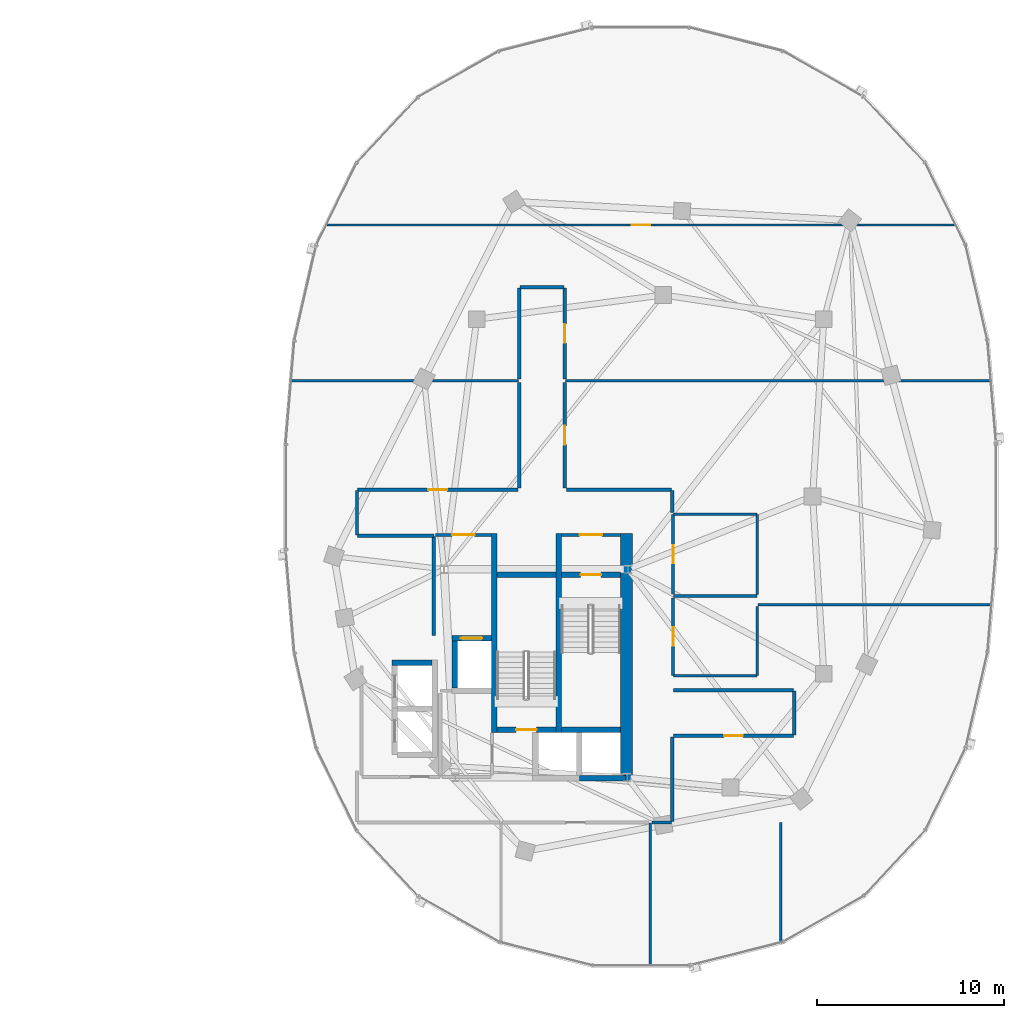
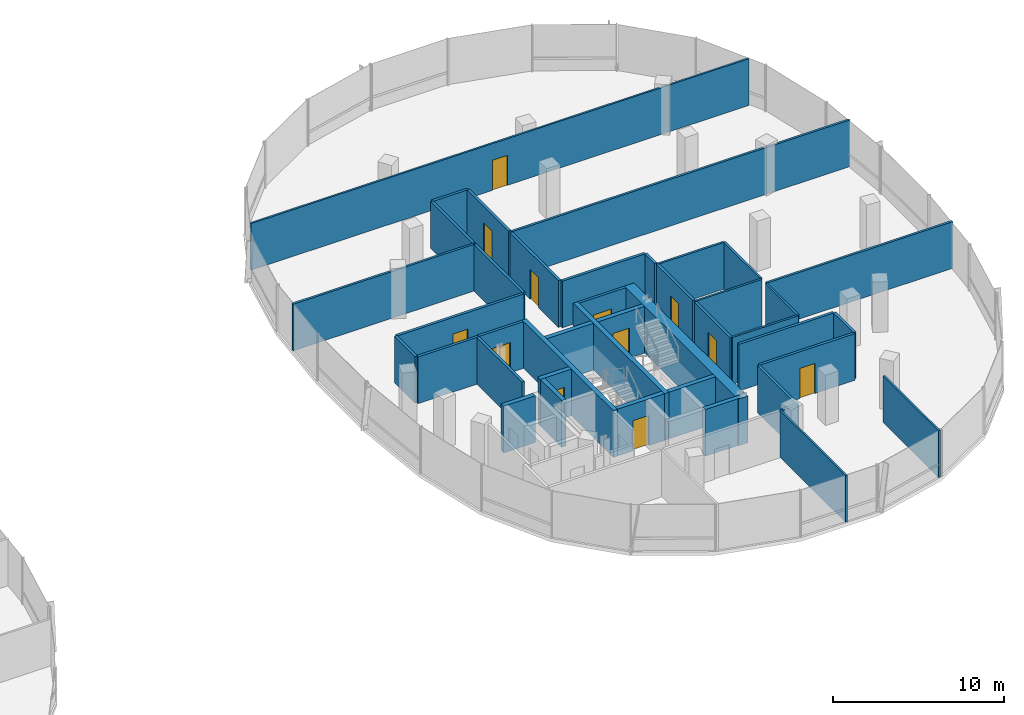
# One storey, part 17 of 25: 42 walls, 12 doors, 12 openings.
"""IFC4 building model written with IfcOpenShell, lengths in metres."""

from ifc_helpers import new_model, si_unit, direction, frame, frame_2d, origin, place, context, subcontext, project, spatial, rectangle, extrude, material, layer, layer_set, type_object, element, fill, save


model = new_model("IFC4")

# Units and contexts
model_context = context("Model", 3, precision=1e-05, world=origin(), true_north=direction((0.0, 1.0)))
body_context = subcontext(model_context, "Body", "Model", "MODEL_VIEW")
ifc_project = project(units=[si_unit("LENGTHUNIT", "METRE"), si_unit("AREAUNIT", "SQUARE_METRE"), si_unit("VOLUMEUNIT", "CUBIC_METRE"), si_unit("PLANEANGLEUNIT", "RADIAN"), si_unit("MASSUNIT", "GRAM", prefix="KILO"), si_unit("THERMODYNAMICTEMPERATUREUNIT", "KELVIN"), si_unit("POWERUNIT", "WATT")], contexts=[model_context])

# Site, building, storey
site_placement = place(None, origin())
site = spatial("IfcSite", under=ifc_project, at=site_placement, CompositionType="ELEMENT")
building_placement = place(site_placement, origin())
building = spatial("IfcBuilding", under=site, at=building_placement, Name="Cundina Bronze Exchange", CompositionType="ELEMENT")
storey_placement = place(building_placement, frame((0.0, 0.0, 224.199951171875)))
storey = spatial("IfcBuildingStorey", under=building, at=storey_placement, Name="L59", CompositionType="ELEMENT", Elevation=224.199951171875)

# Wall
ifc_material_1 = material(Name="Gypsum Fireboard Partition EI120")
ifc_layer_1 = layer(ifc_material_1, 0.179931640625, Name="Gypsum Fireboard Partition EI120")
ifc_layer_set_1 = layer_set([ifc_layer_1], Name="Gypsum Fireboard Partition EI120")
wall_type_1 = type_object("IfcWallType", Name="WL-COR-180", PredefinedType="PARTITIONING", material=ifc_layer_set_1)
wall_1_placement = place(storey_placement, frame((20.889892578125, -7.449951171875, 0.0), z_axis=(0.0, 0.0, 1.0), x_axis=(0.0, 1.0, 0.0)))
element("IfcWall", 1, at=wall_1_placement, inside=storey, type_object=wall_type_1, Name="L59 E Firefighting Lobby Side Wall", PredefinedType="PARTITIONING", context=body_context, shape_type="SweptSolid", body=[
    extrude(rectangle(XDim=5.300048828125, YDim=0.179931640625, at=frame_2d((2.64990234375, 0.0))), origin(), (0.0, 0.0, 1.0), 3.340087890625),
])

# Wall, opening, door
wall_2_placement = place(storey_placement, frame((20.97998046875, -2.06005859375, 0.0), z_axis=(0.0, 0.0, 1.0), x_axis=(1.0, 0.0, 0.0)))
wall_2 = element("IfcWall", 2, at=wall_2_placement, inside=storey, type_object=wall_type_1, Name="L59 E Firefighting Lobby Exit Wall", PredefinedType="PARTITIONING", context=body_context, shape_type="SweptSolid", body=[
    extrude(rectangle(XDim=3.0, YDim=0.179931640625, at=frame_2d((1.5, 0.0))), origin(), (0.0, 0.0, 1.0), 3.340087890625),
])
opening_1_placement = place(wall_2_placement, frame((0.89990234375, 0.0, 0.0)))
opening_1 = element("IfcOpeningElement", 3, at=opening_1_placement, cuts=wall_2, Name="Opening DF-01", PredefinedType="OPENING", context=body_context, shape_type="SweptSolid", body=[
    extrude(rectangle(XDim=1.199951171875, YDim=2.14990234375, at=frame_2d((0.60009765625, 1.074951171875))), frame((0.0, 0.099853515625, 0.0), z_axis=(0.0, -1.0, 0.0), x_axis=(1.0, 0.0, 0.0)), (0.0, 0.0, 1.0), 0.199951171875),
])
ifc_material_2 = material(Name="Steel ASTM A36 Painted", Category="steel")
door_type_1 = type_object("IfcDoorType", Name="DR-FFL-1200", OperationType="NOTDEFINED", PredefinedType="DOOR", material=ifc_material_2)
door_1_placement = place(opening_1_placement, origin())
door_1 = element("IfcDoor", 4, at=door_1_placement, inside=storey, type_object=door_type_1, Name="L59 E Firefighting Lobby Door", OperationType="SINGLE_SWING_LEFT", OverallHeight=2.14990234375, OverallWidth=1.199951171875, PredefinedType="DOOR", context=body_context, shape_type="SweptSolid", body=[
    extrude(rectangle(XDim=1.199951171875, YDim=2.14990234375, at=frame_2d((0.60009765625, 1.074951171875))), frame((0.0, 0.02490234375, 0.0), z_axis=(0.0, -1.0, 0.0), x_axis=(1.0, 0.0, 0.0)), (0.0, 0.0, 1.0), 0.050048828125),
])
fill(opening_1, door_1)

wall_3_placement = place(storey_placement, frame((27.739990234375, -2.06005859375, 0.0), z_axis=(0.0, 0.0, 1.0), x_axis=(1.0, 0.0, 0.0)))
wall_3 = element("IfcWall", 5, at=wall_3_placement, inside=storey, type_object=wall_type_1, Name="L59 E Stair Vestibule Exit Wall", PredefinedType="PARTITIONING", context=body_context, shape_type="SweptSolid", body=[
    extrude(rectangle(XDim=3.159912109375, YDim=0.179931640625, at=frame_2d((1.580078125, 0.0))), origin(), (0.0, 0.0, 1.0), 3.340087890625),
])
opening_2_placement = place(wall_3_placement, frame((0.97998046875, 0.0, 0.0)))
opening_2 = element("IfcOpeningElement", 6, at=opening_2_placement, cuts=wall_3, Name="Opening DF-01", PredefinedType="OPENING", context=body_context, shape_type="SweptSolid", body=[
    extrude(rectangle(XDim=1.199951171875, YDim=2.14990234375, at=frame_2d((0.60009765625, 1.074951171875))), frame((0.0, 0.099853515625, 0.0), z_axis=(0.0, -1.0, 0.0), x_axis=(1.0, 0.0, 0.0)), (0.0, 0.0, 1.0), 0.199951171875),
])
door_2_placement = place(opening_2_placement, origin())
door_2 = element("IfcDoor", 7, at=door_2_placement, inside=storey, type_object=door_type_1, Name="L59 E Stair Vestibule Door", OperationType="SINGLE_SWING_RIGHT", OverallHeight=2.14990234375, OverallWidth=1.199951171875, PredefinedType="DOOR", context=body_context, shape_type="SweptSolid", body=[
    extrude(rectangle(XDim=1.199951171875, YDim=2.14990234375, at=frame_2d((0.60009765625, 1.074951171875))), frame((0.0, 0.02490234375, 0.0), z_axis=(0.0, -1.0, 0.0), x_axis=(1.0, 0.0, 0.0)), (0.0, 0.0, 1.0), 0.050048828125),
])
fill(opening_2, door_2)

wall_4_placement = place(storey_placement, frame((33.719970703125, -5.22998046875, 0.0), z_axis=(0.0, 0.0, 1.0), x_axis=(0.0, 1.0, 0.0)))
wall_4 = element("IfcWall", 8, at=wall_4_placement, inside=storey, type_object=wall_type_1, Name="L59 Interior Partition 053", PredefinedType="PARTITIONING", context=body_context, shape_type="SweptSolid", body=[
    extrude(rectangle(XDim=4.260009765625, YDim=0.179931640625, at=frame_2d((2.1298828125, 0.0))), origin(), (0.0, 0.0, 1.0), 3.340087890625),
])
opening_3_placement = place(wall_4_placement, frame((1.655029296875, 0.0, 0.0)))
opening_3 = element("IfcOpeningElement", 9, at=opening_3_placement, cuts=wall_4, Name="Opening DW-01", PredefinedType="OPENING", context=body_context, shape_type="SweptSolid", body=[
    extrude(rectangle(XDim=0.949951171875, YDim=2.10009765625, at=frame_2d((0.47509765625, 1.050048828125))), frame((0.0, 0.099853515625, 0.0), z_axis=(0.0, -1.0, 0.0), x_axis=(1.0, 0.0, 0.0)), (0.0, 0.0, 1.0), 0.199951171875),
])
ifc_material_3 = material(Name="Solid Andean Oak Timber Grade A", Category="wood")
door_type_2 = type_object("IfcDoorType", Name="DR-WC-950", OperationType="NOTDEFINED", PredefinedType="DOOR", material=ifc_material_3)
door_3_placement = place(opening_3_placement, origin())
door_3 = element("IfcDoor", 10, at=door_3_placement, inside=storey, type_object=door_type_2, Name="L59 Interior Door 053", OperationType="SINGLE_SWING_RIGHT", OverallHeight=2.10009765625, OverallWidth=0.949951171875, PredefinedType="DOOR", context=body_context, shape_type="SweptSolid", body=[
    extrude(rectangle(XDim=0.949951171875, YDim=2.10009765625, at=frame_2d((0.47509765625, 1.050048828125))), frame((0.0, 0.02490234375, 0.0), z_axis=(0.0, -1.0, 0.0), x_axis=(1.0, 0.0, 0.0)), (0.0, 0.0, 1.0), 0.050048828125),
])
fill(opening_3, door_3)

wall_5_placement = place(storey_placement, frame((33.719970703125, -9.590087890625, 0.0), z_axis=(0.0, 0.0, 1.0), x_axis=(0.0, 1.0, 0.0)))
wall_5 = element("IfcWall", 11, at=wall_5_placement, inside=storey, type_object=wall_type_1, Name="L59 Interior Partition 054", PredefinedType="PARTITIONING", context=body_context, shape_type="SweptSolid", body=[
    extrude(rectangle(XDim=4.16015625, YDim=0.179931640625, at=frame_2d((2.080078125, 0.0))), origin(), (0.0, 0.0, 1.0), 3.340087890625),
])
opening_4_placement = place(wall_5_placement, frame((1.580078125, 0.0, 0.0)))
opening_4 = element("IfcOpeningElement", 12, at=opening_4_placement, cuts=wall_5, Name="Opening DO-01", PredefinedType="OPENING", context=body_context, shape_type="SweptSolid", body=[
    extrude(rectangle(XDim=1.0, YDim=2.14990234375, at=frame_2d((0.5, 1.074951171875))), frame((0.0, 0.099853515625, 0.0), z_axis=(0.0, -1.0, 0.0), x_axis=(1.0, 0.0, 0.0)), (0.0, 0.0, 1.0), 0.199951171875),
])
door_type_3 = type_object("IfcDoorType", Name="DR-OFF-1000", OperationType="NOTDEFINED", PredefinedType="DOOR", material=ifc_material_3)
door_4_placement = place(opening_4_placement, origin())
door_4 = element("IfcDoor", 13, at=door_4_placement, inside=storey, type_object=door_type_3, Name="L59 Interior Door 054", OperationType="SINGLE_SWING_RIGHT", OverallHeight=2.14990234375, OverallWidth=1.0, PredefinedType="DOOR", context=body_context, shape_type="SweptSolid", body=[
    extrude(rectangle(XDim=1.0, YDim=2.14990234375, at=frame_2d((0.5, 1.074951171875))), frame((0.0, 0.02490234375, 0.0), z_axis=(0.0, -1.0, 0.0), x_axis=(1.0, 0.0, 0.0)), (0.0, 0.0, 1.0), 0.050048828125),
])
fill(opening_4, door_4)

wall_6_placement = place(storey_placement, frame((33.75, -12.820068359375, 0.0), z_axis=(0.0, 0.0, 1.0), x_axis=(1.0, 0.0, 0.0)))
wall_6 = element("IfcWall", 14, at=wall_6_placement, inside=storey, type_object=wall_type_1, Name="L59 Interior Partition 062", PredefinedType="PARTITIONING", context=body_context, shape_type="SweptSolid", body=[
    extrude(rectangle(XDim=6.428466796875, YDim=0.179931640625, at=frame_2d((3.21435546875, 0.0))), origin(), (0.0, 0.0, 1.0), 3.340087890625),
])
opening_5_placement = place(wall_6_placement, frame((2.714111328125, 0.0, 0.0)))
opening_5 = element("IfcOpeningElement", 15, at=opening_5_placement, cuts=wall_6, Name="Opening DO-01", PredefinedType="OPENING", context=body_context, shape_type="SweptSolid", body=[
    extrude(rectangle(XDim=1.0, YDim=2.14990234375, at=frame_2d((0.5, 1.074951171875))), frame((0.0, 0.099853515625, 0.0), z_axis=(0.0, -1.0, 0.0), x_axis=(1.0, 0.0, 0.0)), (0.0, 0.0, 1.0), 0.199951171875),
])
door_5_placement = place(opening_5_placement, origin())
door_5 = element("IfcDoor", 16, at=door_5_placement, inside=storey, type_object=door_type_3, Name="L59 Interior Door 062", OperationType="SINGLE_SWING_RIGHT", OverallHeight=2.14990234375, OverallWidth=1.0, PredefinedType="DOOR", context=body_context, shape_type="SweptSolid", body=[
    extrude(rectangle(XDim=1.0, YDim=2.14990234375, at=frame_2d((0.5, 1.074951171875))), frame((0.0, 0.02490234375, 0.0), z_axis=(0.0, -1.0, 0.0), x_axis=(1.0, 0.0, 0.0)), (0.0, 0.0, 1.0), 0.050048828125),
])
fill(opening_5, door_5)

# Walls
wall_7_placement = place(storey_placement, frame((40.178466796875, -10.3798828125, 0.0), z_axis=(0.0, 0.0, 1.0), x_axis=(-1.0, 0.0, 0.0)))
element("IfcWall", 17, at=wall_7_placement, inside=storey, type_object=wall_type_1, Name="L59 Interior Partition 063", PredefinedType="PARTITIONING", context=body_context, shape_type="SweptSolid", body=[
    extrude(rectangle(XDim=6.428466796875, YDim=0.179931640625, at=frame_2d((3.21435546875, 0.0))), origin(), (0.0, 0.0, 1.0), 3.340087890625),
])
wall_8_placement = place(storey_placement, frame((33.669921875, -17.428466796875, 0.0), z_axis=(0.0, 0.0, 1.0), x_axis=(0.0, 1.0, 0.0)))
element("IfcWall", 18, at=wall_8_placement, inside=storey, type_object=wall_type_1, Name="L59 Interior Partition 064", PredefinedType="PARTITIONING", context=body_context, shape_type="SweptSolid", body=[
    extrude(rectangle(XDim=4.528564453125, YDim=0.179931640625, at=frame_2d((2.26416015625, 0.0))), origin(), (0.0, 0.0, 1.0), 3.340087890625),
])
wall_9_placement = place(storey_placement, frame((40.219970703125, -12.778564453125, 0.0), z_axis=(0.0, 0.0, 1.0), x_axis=(0.0, 1.0, 0.0)))
element("IfcWall", 19, at=wall_9_placement, inside=storey, type_object=wall_type_1, Name="L59 Interior Partition 065", PredefinedType="PARTITIONING", context=body_context, shape_type="SweptSolid", body=[
    extrude(rectangle(XDim=2.357177734375, YDim=0.179931640625, at=frame_2d((1.1787109375, 0.0))), origin(), (0.0, 0.0, 1.0), 3.340087890625),
])
wall_10_placement = place(storey_placement, frame((32.590087890625, -17.469970703125, 0.0), z_axis=(0.0, 0.0, 1.0), x_axis=(1.0, 0.0, 0.0)))
element("IfcWall", 20, at=wall_10_placement, inside=storey, type_object=wall_type_1, Name="L59 Interior Partition 066", PredefinedType="PARTITIONING", context=body_context, shape_type="SweptSolid", body=[
    extrude(rectangle(XDim=1.038330078125, YDim=0.179931640625, at=frame_2d((0.51904296875, 0.0))), origin(), (0.0, 0.0, 1.0), 3.340087890625),
])

# Wall, opening, door
wall_11_placement = place(storey_placement, frame((25.39990234375, 0.3701171875, 0.0), z_axis=(0.0, 0.0, 1.0), x_axis=(-1.0, 0.0, 0.0)))
wall_11 = element("IfcWall", 21, at=wall_11_placement, inside=storey, type_object=wall_type_1, Name="L59 Interior Partition 067", PredefinedType="PARTITIONING", context=body_context, shape_type="SweptSolid", body=[
    extrude(rectangle(XDim=8.578369140625, YDim=0.179931640625, at=frame_2d((4.2890625, 0.0))), origin(), (0.0, 0.0, 1.0), 3.340087890625),
])
opening_6_placement = place(wall_11_placement, frame((3.789306640625, 0.0, 0.0)))
opening_6 = element("IfcOpeningElement", 22, at=opening_6_placement, cuts=wall_11, Name="Opening DO-01", PredefinedType="OPENING", context=body_context, shape_type="SweptSolid", body=[
    extrude(rectangle(XDim=1.0, YDim=2.14990234375, at=frame_2d((0.5, 1.074951171875))), frame((0.0, 0.099853515625, 0.0), z_axis=(0.0, -1.0, 0.0), x_axis=(1.0, 0.0, 0.0)), (0.0, 0.0, 1.0), 0.199951171875),
])
door_6_placement = place(opening_6_placement, origin())
door_6 = element("IfcDoor", 23, at=door_6_placement, inside=storey, type_object=door_type_3, Name="L59 Interior Door 067", OperationType="SINGLE_SWING_RIGHT", OverallHeight=2.14990234375, OverallWidth=1.0, PredefinedType="DOOR", context=body_context, shape_type="SweptSolid", body=[
    extrude(rectangle(XDim=1.0, YDim=2.14990234375, at=frame_2d((0.5, 1.074951171875))), frame((0.0, 0.02490234375, 0.0), z_axis=(0.0, -1.0, 0.0), x_axis=(1.0, 0.0, 0.0)), (0.0, 0.0, 1.0), 0.050048828125),
])
fill(opening_6, door_6)

# Walls
wall_12_placement = place(storey_placement, frame((25.47998046875, 6.110107421875, 0.0), z_axis=(0.0, 0.0, 1.0), x_axis=(0.0, -1.0, 0.0)))
element("IfcWall", 24, at=wall_12_placement, inside=storey, type_object=wall_type_1, Name="L59 Interior Partition 069", PredefinedType="PARTITIONING", context=body_context, shape_type="SweptSolid", body=[
    extrude(rectangle(XDim=5.66015625, YDim=0.179931640625, at=frame_2d((2.830078125, 0.0))), origin(), (0.0, 0.0, 1.0), 3.340087890625),
])
wall_13_placement = place(storey_placement, frame((16.821533203125, -2.10009765625, 0.0), z_axis=(0.0, 0.0, 1.0), x_axis=(1.0, 0.0, 0.0)))
element("IfcWall", 25, at=wall_13_placement, inside=storey, type_object=wall_type_1, Name="L59 Interior Partition 070", PredefinedType="PARTITIONING", context=body_context, shape_type="SweptSolid", body=[
    extrude(rectangle(XDim=4.098388671875, YDim=0.179931640625, at=frame_2d((2.04931640625, 0.0))), origin(), (0.0, 0.0, 1.0), 3.340087890625),
])
wall_14_placement = place(storey_placement, frame((16.780029296875, 0.32861328125, 0.0), z_axis=(0.0, 0.0, 1.0), x_axis=(0.0, -1.0, 0.0)))
element("IfcWall", 26, at=wall_14_placement, inside=storey, type_object=wall_type_1, Name="L59 Interior Partition 072", PredefinedType="PARTITIONING", context=body_context, shape_type="SweptSolid", body=[
    extrude(rectangle(XDim=2.38720703125, YDim=0.179931640625, at=frame_2d((1.193603515625, 0.0))), origin(), (0.0, 0.0, 1.0), 3.340087890625),
])

# Wall, opening, door
wall_15_placement = place(storey_placement, frame((27.919921875, 0.449951171875, 0.0), z_axis=(0.0, 0.0, 1.0), x_axis=(0.0, 1.0, 0.0)))
wall_15 = element("IfcWall", 27, at=wall_15_placement, inside=storey, type_object=wall_type_1, Name="L59 Interior Partition 073", PredefinedType="PARTITIONING", context=body_context, shape_type="SweptSolid", body=[
    extrude(rectangle(XDim=5.66015625, YDim=0.179931640625, at=frame_2d((2.830078125, 0.0))), origin(), (0.0, 0.0, 1.0), 3.340087890625),
])
opening_7_placement = place(wall_15_placement, frame((2.330078125, 0.0, 0.0)))
opening_7 = element("IfcOpeningElement", 28, at=opening_7_placement, cuts=wall_15, Name="Opening DO-01", PredefinedType="OPENING", context=body_context, shape_type="SweptSolid", body=[
    extrude(rectangle(XDim=1.0, YDim=2.14990234375, at=frame_2d((0.5, 1.074951171875))), frame((0.0, 0.099853515625, 0.0), z_axis=(0.0, -1.0, 0.0), x_axis=(1.0, 0.0, 0.0)), (0.0, 0.0, 1.0), 0.199951171875),
])
door_7_placement = place(opening_7_placement, origin())
door_7 = element("IfcDoor", 29, at=door_7_placement, inside=storey, type_object=door_type_3, Name="L59 Interior Door 073", OperationType="SINGLE_SWING_RIGHT", OverallHeight=2.14990234375, OverallWidth=1.0, PredefinedType="DOOR", context=body_context, shape_type="SweptSolid", body=[
    extrude(rectangle(XDim=1.0, YDim=2.14990234375, at=frame_2d((0.5, 1.074951171875))), frame((0.0, 0.02490234375, 0.0), z_axis=(0.0, -1.0, 0.0), x_axis=(1.0, 0.0, 0.0)), (0.0, 0.0, 1.0), 0.050048828125),
])
fill(opening_7, door_7)

# Walls
wall_16_placement = place(storey_placement, frame((33.62841796875, 0.3701171875, 0.0), z_axis=(0.0, 0.0, 1.0), x_axis=(-1.0, 0.0, 0.0)))
element("IfcWall", 30, at=wall_16_placement, inside=storey, type_object=wall_type_1, Name="L59 Interior Partition 074", PredefinedType="PARTITIONING", context=body_context, shape_type="SweptSolid", body=[
    extrude(rectangle(XDim=5.62841796875, YDim=0.179931640625, at=frame_2d((2.814208984375, 0.0))), origin(), (0.0, 0.0, 1.0), 3.340087890625),
])
wall_17_placement = place(storey_placement, frame((33.669921875, -0.858642578125, 0.0), z_axis=(0.0, 0.0, 1.0), x_axis=(0.0, 1.0, 0.0)))
element("IfcWall", 31, at=wall_17_placement, inside=storey, type_object=wall_type_1, Name="L59 Interior Partition 075", PredefinedType="PARTITIONING", context=body_context, shape_type="SweptSolid", body=[
    extrude(rectangle(XDim=1.187255859375, YDim=0.179931640625, at=frame_2d((0.59375, 0.0))), origin(), (0.0, 0.0, 1.0), 3.340087890625),
])

# Wall, opening, door
wall_18_placement = place(storey_placement, frame((27.919921875, 6.2900390625, 0.0), z_axis=(0.0, 0.0, 1.0), x_axis=(0.0, 1.0, 0.0)))
wall_18 = element("IfcWall", 32, at=wall_18_placement, inside=storey, type_object=wall_type_1, Name="L59 Interior Partition 076", PredefinedType="PARTITIONING", context=body_context, shape_type="SweptSolid", body=[
    extrude(rectangle(XDim=4.888427734375, YDim=0.179931640625, at=frame_2d((2.4443359375, 0.0))), origin(), (0.0, 0.0, 1.0), 3.340087890625),
])
opening_8_placement = place(wall_18_placement, frame((1.944091796875, 0.0, 0.0)))
opening_8 = element("IfcOpeningElement", 33, at=opening_8_placement, cuts=wall_18, Name="Opening DO-01", PredefinedType="OPENING", context=body_context, shape_type="SweptSolid", body=[
    extrude(rectangle(XDim=1.0, YDim=2.14990234375, at=frame_2d((0.5, 1.074951171875))), frame((0.0, 0.099853515625, 0.0), z_axis=(0.0, -1.0, 0.0), x_axis=(1.0, 0.0, 0.0)), (0.0, 0.0, 1.0), 0.199951171875),
])
door_8_placement = place(opening_8_placement, origin())
door_8 = element("IfcDoor", 34, at=door_8_placement, inside=storey, type_object=door_type_3, Name="L59 Interior Door 076", OperationType="SINGLE_SWING_RIGHT", OverallHeight=2.14990234375, OverallWidth=1.0, PredefinedType="DOOR", context=body_context, shape_type="SweptSolid", body=[
    extrude(rectangle(XDim=1.0, YDim=2.14990234375, at=frame_2d((0.5, 1.074951171875))), frame((0.0, 0.02490234375, 0.0), z_axis=(0.0, -1.0, 0.0), x_axis=(1.0, 0.0, 0.0)), (0.0, 0.0, 1.0), 0.050048828125),
])
fill(opening_8, door_8)

# Walls
wall_19_placement = place(storey_placement, frame((25.47998046875, 11.178466796875, 0.0), z_axis=(0.0, 0.0, 1.0), x_axis=(0.0, -1.0, 0.0)))
element("IfcWall", 35, at=wall_19_placement, inside=storey, type_object=wall_type_1, Name="L59 Interior Partition 077", PredefinedType="PARTITIONING", context=body_context, shape_type="SweptSolid", body=[
    extrude(rectangle(XDim=4.888427734375, YDim=0.179931640625, at=frame_2d((2.4443359375, 0.0))), origin(), (0.0, 0.0, 1.0), 3.340087890625),
])
wall_20_placement = place(storey_placement, frame((27.87841796875, 11.219970703125, 0.0), z_axis=(0.0, 0.0, 1.0), x_axis=(-1.0, 0.0, 0.0)))
element("IfcWall", 36, at=wall_20_placement, inside=storey, type_object=wall_type_1, Name="L59 Interior Partition 078", PredefinedType="PARTITIONING", context=body_context, shape_type="SweptSolid", body=[
    extrude(rectangle(XDim=2.35693359375, YDim=0.179931640625, at=frame_2d((1.178466796875, 0.0))), origin(), (0.0, 0.0, 1.0), 3.340087890625),
])
ifc_material_4 = material(Name="Concrete C50/60", Category="concrete")
ifc_layer_2 = layer(ifc_material_4, 0.64990234375, Name="Concrete C50/60", Category="concrete")
ifc_layer_set_2 = layer_set([ifc_layer_2], Name="Concrete C50/60")
wall_type_2 = type_object("IfcWallType", Name="WL-CORE-650", PredefinedType="SHEAR", material=ifc_layer_set_2)
wall_21_placement = place(storey_placement, frame((31.22509765625, -15.300048828125, 0.0), z_axis=(0.0, 0.0, 1.0), x_axis=(0.0, 1.0, 0.0)))
element("IfcWall", 37, at=wall_21_placement, inside=storey, type_object=wall_type_2, Name="L59 E Primary Core Shear Spine Wall", PredefinedType="SHEAR", context=body_context, shape_type="SweptSolid", body=[
    extrude(rectangle(XDim=13.330078125, YDim=0.64990234375, at=frame_2d((6.6650390625, 0.0))), origin(), (0.0, 0.0, 1.0), 3.340087890625),
])
ifc_material_5 = material(Name="Gypsum Acoustic Partition EI60")
ifc_layer_3 = layer(ifc_material_5, 0.125, Name="Gypsum Acoustic Partition EI60")
ifc_layer_set_3 = layer_set([ifc_layer_3], Name="Gypsum Acoustic Partition EI60")
wall_type_3 = type_object("IfcWallType", Name="WL-OFF-125", PredefinedType="PARTITIONING", material=ifc_layer_set_3)
wall_22_placement = place(storey_placement, frame((32.5, -25.18994140625, 0.0), z_axis=(0.0, 0.0, 1.0), x_axis=(0.0, 1.0, 0.0)))
element("IfcWall", 38, at=wall_22_placement, inside=storey, type_object=wall_type_3, Name="L59 Interior Partition 059", PredefinedType="PARTITIONING", context=body_context, shape_type="SweptSolid", body=[
    extrude(rectangle(XDim=7.68994140625, YDim=0.125, at=frame_2d((3.844970703125, 0.0))), origin(), (0.0, 0.0, 1.0), 3.340087890625),
])
wall_23_placement = place(storey_placement, frame((39.5, -23.962646484375, 0.0), z_axis=(0.0, 0.0, 1.0), x_axis=(0.0, 1.0, 0.0)))
element("IfcWall", 39, at=wall_23_placement, inside=storey, type_object=wall_type_3, Name="L59 Interior Partition 060", PredefinedType="PARTITIONING", context=body_context, shape_type="SweptSolid", body=[
    extrude(rectangle(XDim=6.49267578125, YDim=0.125, at=frame_2d((3.246337890625, 0.0))), origin(), (0.0, 0.0, 1.0), 3.340087890625),
])

# Wall, opening, door
wall_24_placement = place(storey_placement, frame((48.832763671875, 14.550048828125, 0.0), z_axis=(0.0, 0.0, 1.0), x_axis=(-1.0, 0.0, 0.0)))
wall_24 = element("IfcWall", 40, at=wall_24_placement, inside=storey, type_object=wall_type_3, Name="L59 Interior Partition 079", PredefinedType="PARTITIONING", context=body_context, shape_type="SweptSolid", body=[
    extrude(rectangle(XDim=33.66552734375, YDim=0.125, at=frame_2d((16.832763671875, 0.0))), origin(), (0.0, 0.0, 1.0), 3.340087890625),
])
opening_9_placement = place(wall_24_placement, frame((16.332763671875, 0.0, 0.0)))
opening_9 = element("IfcOpeningElement", 41, at=opening_9_placement, cuts=wall_24, Name="Opening DO-01", PredefinedType="OPENING", context=body_context, shape_type="SweptSolid", body=[
    extrude(rectangle(XDim=1.0, YDim=2.14990234375, at=frame_2d((0.5, 1.074951171875))), frame((0.0, 0.072509765625, 0.0), z_axis=(0.0, -1.0, 0.0), x_axis=(1.0, 0.0, 0.0)), (0.0, 0.0, 1.0), 0.14501953125),
])
door_9_placement = place(opening_9_placement, origin())
door_9 = element("IfcDoor", 42, at=door_9_placement, inside=storey, type_object=door_type_3, Name="L59 Interior Door 079", OperationType="SINGLE_SWING_RIGHT", OverallHeight=2.14990234375, OverallWidth=1.0, PredefinedType="DOOR", context=body_context, shape_type="SweptSolid", body=[
    extrude(rectangle(XDim=1.0, YDim=2.14990234375, at=frame_2d((0.5, 1.074951171875))), frame((0.0, 0.02490234375, 0.0), z_axis=(0.0, -1.0, 0.0), x_axis=(1.0, 0.0, 0.0)), (0.0, 0.0, 1.0), 0.050048828125),
])
fill(opening_9, door_9)

# Walls
ifc_layer_4 = layer(ifc_material_4, 0.300048828125, Name="Concrete C50/60", Category="concrete")
ifc_layer_set_4 = layer_set([ifc_layer_4], Name="Concrete C50/60")
wall_type_4 = type_object("IfcWallType", Name="WL-SHFT-300", PredefinedType="SHEAR", material=ifc_layer_set_4)
for number, where, z_axis, x_axis, name in (
    (43, (27.590087890625, -12.64990234375, 0.0), (0.0, 0.0, 1.0), (0.0, 1.0, 0.0), "L59 E Stair Shaft Dividing Shear Wall"),
    (44, (24.1298828125, -12.64990234375, 0.0), (0.0, 0.0, 1.0), (0.0, 1.0, 0.0), "L59 E Stair 2 East Shear Wall"),
):
    element("IfcWall", number, at=place(storey_placement, frame(where, z_axis=z_axis, x_axis=x_axis)), inside=storey, type_object=wall_type_4, Name=name, PredefinedType="SHEAR", context=body_context, shape_type="SweptSolid", body=[
        extrude(rectangle(XDim=10.679931640625, YDim=0.300048828125, at=frame_2d((5.33984375, 0.0))), origin(), (0.0, 0.0, 1.0), 3.340087890625),
    ])

# Wall, opening, door
wall_25_placement = place(storey_placement, frame((27.739990234375, -4.199951171875, 0.0), z_axis=(0.0, 0.0, 1.0), x_axis=(1.0, 0.0, 0.0)))
wall_25 = element("IfcWall", 45, at=wall_25_placement, inside=storey, type_object=wall_type_4, Name="L59 Stair E1 Landing Wall", PredefinedType="SHEAR", context=body_context, shape_type="SweptSolid", body=[
    extrude(rectangle(XDim=3.159912109375, YDim=0.300048828125, at=frame_2d((1.580078125, 0.0))), origin(), (0.0, 0.0, 1.0), 3.340087890625),
])
opening_10_placement = place(wall_25_placement, frame((1.030029296875, 0.0, 0.0)))
opening_10 = element("IfcOpeningElement", 46, at=opening_10_placement, cuts=wall_25, Name="Opening DS-01", PredefinedType="OPENING", context=body_context, shape_type="SweptSolid", body=[
    extrude(rectangle(XDim=1.10009765625, YDim=2.14990234375, at=frame_2d((0.550048828125, 1.074951171875))), frame((0.0, 0.159912109375, 0.0), z_axis=(0.0, -1.0, 0.0), x_axis=(1.0, 0.0, 0.0)), (0.0, 0.0, 1.0), 0.320068359375),
])
door_type_4 = type_object("IfcDoorType", Name="DR-STR-1100", OperationType="NOTDEFINED", PredefinedType="DOOR", material=ifc_material_2)
door_10_placement = place(opening_10_placement, origin())
door_10 = element("IfcDoor", 47, at=door_10_placement, inside=storey, type_object=door_type_4, Name="L59 Smokeproof Stair E1 Door", OperationType="SINGLE_SWING_LEFT", OverallHeight=2.14990234375, OverallWidth=1.10009765625, PredefinedType="DOOR", context=body_context, shape_type="SweptSolid", body=[
    extrude(rectangle(XDim=1.10009765625, YDim=2.14990234375, at=frame_2d((0.550048828125, 1.074951171875))), frame((0.0, 0.02490234375, 0.0), z_axis=(0.0, -1.0, 0.0), x_axis=(1.0, 0.0, 0.0)), (0.0, 0.0, 1.0), 0.050048828125),
])
fill(opening_10, door_10)

# Wall
wall_26_placement = place(storey_placement, frame((27.739990234375, -12.5, 0.0), z_axis=(0.0, 0.0, 1.0), x_axis=(1.0, 0.0, 0.0)))
element("IfcWall", 48, at=wall_26_placement, inside=storey, type_object=wall_type_4, Name="L59 Stair E1 Far Shaft Wall", PredefinedType="SHEAR", context=body_context, shape_type="SweptSolid", body=[
    extrude(rectangle(XDim=3.159912109375, YDim=0.300048828125, at=frame_2d((1.580078125, 0.0))), origin(), (0.0, 0.0, 1.0), 3.340087890625),
])

# Wall, opening, door
wall_27_placement = place(storey_placement, frame((24.280029296875, -12.5, 0.0), z_axis=(0.0, 0.0, 1.0), x_axis=(1.0, 0.0, 0.0)))
wall_27 = element("IfcWall", 49, at=wall_27_placement, inside=storey, type_object=wall_type_4, Name="L59 Stair E2 Landing Wall", PredefinedType="SHEAR", context=body_context, shape_type="SweptSolid", body=[
    extrude(rectangle(XDim=3.159912109375, YDim=0.300048828125, at=frame_2d((1.580078125, 0.0))), origin(), (0.0, 0.0, 1.0), 3.340087890625),
])
opening_11_placement = place(wall_27_placement, frame((1.030029296875, 0.0, 0.0)))
opening_11 = element("IfcOpeningElement", 50, at=opening_11_placement, cuts=wall_27, Name="Opening DS-01", PredefinedType="OPENING", context=body_context, shape_type="SweptSolid", body=[
    extrude(rectangle(XDim=1.10009765625, YDim=2.14990234375, at=frame_2d((0.550048828125, 1.074951171875))), frame((0.0, 0.159912109375, 0.0), z_axis=(0.0, -1.0, 0.0), x_axis=(1.0, 0.0, 0.0)), (0.0, 0.0, 1.0), 0.320068359375),
])
door_11_placement = place(opening_11_placement, origin())
door_11 = element("IfcDoor", 51, at=door_11_placement, inside=storey, type_object=door_type_4, Name="L59 Smokeproof Stair E2 Door", OperationType="SINGLE_SWING_RIGHT", OverallHeight=2.14990234375, OverallWidth=1.10009765625, PredefinedType="DOOR", context=body_context, shape_type="SweptSolid", body=[
    extrude(rectangle(XDim=1.10009765625, YDim=2.14990234375, at=frame_2d((0.550048828125, 1.074951171875))), frame((0.0, 0.02490234375, 0.0), z_axis=(0.0, -1.0, 0.0), x_axis=(1.0, 0.0, 0.0)), (0.0, 0.0, 1.0), 0.050048828125),
])
fill(opening_11, door_11)

# Wall
wall_28_placement = place(storey_placement, frame((24.280029296875, -4.199951171875, 0.0), z_axis=(0.0, 0.0, 1.0), x_axis=(1.0, 0.0, 0.0)))
element("IfcWall", 52, at=wall_28_placement, inside=storey, type_object=wall_type_4, Name="L59 Stair E2 Far Shaft Wall", PredefinedType="SHEAR", context=body_context, shape_type="SweptSolid", body=[
    extrude(rectangle(XDim=3.159912109375, YDim=0.300048828125, at=frame_2d((1.580078125, 0.0))), origin(), (0.0, 0.0, 1.0), 3.340087890625),
])

# Wall, opening, door
wall_29_placement = place(storey_placement, frame((21.8798828125, -7.60009765625, 0.0), z_axis=(0.0, 0.0, 1.0), x_axis=(1.0, 0.0, 0.0)))
wall_29 = element("IfcWall", 53, at=wall_29_placement, inside=storey, type_object=wall_type_4, Name="L59 FFL-E Hoistway Front Wall", PredefinedType="SHEAR", context=body_context, shape_type="SweptSolid", body=[
    extrude(rectangle(XDim=2.10009765625, YDim=0.300048828125, at=frame_2d((1.050048828125, 0.0))), origin(), (0.0, 0.0, 1.0), 3.340087890625),
])
opening_12_placement = place(wall_29_placement, frame((0.47509765625, 0.0, 0.0)))
opening_12 = element("IfcOpeningElement", 54, at=opening_12_placement, cuts=wall_29, Name="Opening LD-01", PredefinedType="OPENING", context=body_context, shape_type="SweptSolid", body=[
    extrude(rectangle(XDim=1.14990234375, YDim=2.199951171875, at=frame_2d((0.574951171875, 1.10009765625))), frame((0.0, 0.159912109375, 0.0), z_axis=(0.0, -1.0, 0.0), x_axis=(1.0, 0.0, 0.0)), (0.0, 0.0, 1.0), 0.320068359375),
])
door_type_5 = type_object("IfcDoorType", Name="DR-LND-1150", OperationType="NOTDEFINED", PredefinedType="TRAPDOOR", material=ifc_material_2)
door_12_placement = place(opening_12_placement, origin())
door_12 = element("IfcDoor", 55, at=door_12_placement, inside=storey, type_object=door_type_5, Name="L59 FFL-E Sliding Landing Door", OperationType="SLIDING_TO_LEFT", OverallHeight=2.199951171875, OverallWidth=1.14990234375, PredefinedType="TRAPDOOR", context=body_context, shape_type="SweptSolid", body=[
    extrude(rectangle(XDim=1.14990234375, YDim=2.199951171875, at=frame_2d((0.574951171875, 1.10009765625))), frame((0.0, 0.02490234375, 0.0), z_axis=(0.0, -1.0, 0.0), x_axis=(1.0, 0.0, 0.0)), (0.0, 0.0, 1.0), 0.050048828125),
])
fill(opening_12, door_12)

# Walls
for number, where, z_axis, x_axis, name in (
    (56, (22.030029296875, -10.25, 0.0), (0.0, 0.0, 1.0), (0.0, 1.0, 0.0), "L59 FFL-E Hoistway Side Wall"),
    (57, (28.699951171875, -15.10009765625, 0.0), (0.0, 0.0, 1.0), (1.0, 0.0, 0.0), "L59 PH-E1 Hoistway Front Wall"),
):
    element("IfcWall", number, at=place(storey_placement, frame(where, z_axis=z_axis, x_axis=x_axis)), inside=storey, type_object=wall_type_4, Name=name, PredefinedType="SHEAR", context=body_context, shape_type="SweptSolid", body=[
        extrude(rectangle(XDim=2.5, YDim=0.300048828125, at=frame_2d((1.25, 0.0))), origin(), (0.0, 0.0, 1.0), 3.340087890625),
    ])
wall_30_placement = place(storey_placement, frame((18.64990234375, -8.89990234375, 0.0), z_axis=(0.0, 0.0, 1.0), x_axis=(1.0, 0.0, 0.0)))
element("IfcWall", 58, at=wall_30_placement, inside=storey, type_object=wall_type_4, Name="L59 E Passenger Bank North Cap Wall", PredefinedType="SHEAR", context=body_context, shape_type="SweptSolid", body=[
    extrude(rectangle(XDim=2.150146484375, YDim=0.300048828125, at=frame_2d((1.0751953125, 0.0))), origin(), (0.0, 0.0, 1.0), 3.340087890625),
])
ifc_layer_5 = layer(ifc_material_5, 0.14990234375, Name="Gypsum Acoustic Partition EI60")
ifc_layer_set_5 = layer_set([ifc_layer_5], Name="Gypsum Acoustic Partition EI60")
wall_type_5 = type_object("IfcWallType", Name="WL-TEN-150", PredefinedType="PARTITIONING", material=ifc_layer_set_5)
wall_31_placement = place(storey_placement, frame((13.18310546875, 6.199951171875, 0.0), z_axis=(0.0, 0.0, 1.0), x_axis=(1.0, 0.0, 0.0)))
element("IfcWall", 59, at=wall_31_placement, inside=storey, type_object=wall_type_5, Name="L59 Interior Partition 055", PredefinedType="PARTITIONING", context=body_context, shape_type="SweptSolid", body=[
    extrude(rectangle(XDim=12.266845703125, YDim=0.14990234375, at=frame_2d((6.13330078125, 0.0))), origin(), (0.0, 0.0, 1.0), 3.340087890625),
])
wall_32_placement = place(storey_placement, frame((27.949951171875, 6.199951171875, 0.0), z_axis=(0.0, 0.0, 1.0), x_axis=(1.0, 0.0, 0.0)))
element("IfcWall", 60, at=wall_32_placement, inside=storey, type_object=wall_type_5, Name="L59 Interior Partition 056", PredefinedType="PARTITIONING", context=body_context, shape_type="SweptSolid", body=[
    extrude(rectangle(XDim=22.866943359375, YDim=0.14990234375, at=frame_2d((11.43359375, 0.0))), origin(), (0.0, 0.0, 1.0), 3.340087890625),
])
wall_33_placement = place(storey_placement, frame((38.27001953125, -5.800048828125, 0.0), z_axis=(0.0, 0.0, 1.0), x_axis=(1.0, 0.0, 0.0)))
element("IfcWall", 61, at=wall_33_placement, inside=storey, type_object=wall_type_5, Name="L59 Interior Partition 057", PredefinedType="PARTITIONING", context=body_context, shape_type="SweptSolid", body=[
    extrude(rectangle(XDim=12.58056640625, YDim=0.14990234375, at=frame_2d((6.290283203125, 0.0))), origin(), (0.0, 0.0, 1.0), 3.340087890625),
])
ifc_material_6 = material(Name="Moisture-Resistant Masonry Block Grade M15", Category="masonry")
ifc_layer_6 = layer(ifc_material_6, 0.139892578125, Name="Moisture-Resistant Masonry Block Grade M15", Category="masonry")
ifc_layer_set_6 = layer_set([ifc_layer_6], Name="Moisture-Resistant Masonry Block Grade M15")
wall_type_6 = type_object("IfcWallType", Name="WL-WET-140", PredefinedType="PARTITIONING", material=ifc_layer_set_6)
wall_34_placement = place(storey_placement, frame((38.239990234375, -9.590087890625, 0.0), z_axis=(0.0, 0.0, 1.0), x_axis=(0.0, 1.0, 0.0)))
element("IfcWall", 62, at=wall_34_placement, inside=storey, type_object=wall_type_6, Name="L59 Interior Partition 048", PredefinedType="PARTITIONING", context=body_context, shape_type="SweptSolid", body=[
    extrude(rectangle(XDim=3.705078125, YDim=0.139892578125, at=frame_2d((1.8525390625, 0.0))), origin(), (0.0, 0.0, 1.0), 3.340087890625),
])
wall_35_placement = place(storey_placement, frame((38.239990234375, -5.2451171875, 0.0), z_axis=(0.0, 0.0, 1.0), x_axis=(0.0, 1.0, 0.0)))
element("IfcWall", 63, at=wall_35_placement, inside=storey, type_object=wall_type_6, Name="L59 Interior Partition 049", PredefinedType="PARTITIONING", context=body_context, shape_type="SweptSolid", body=[
    extrude(rectangle(XDim=4.275146484375, YDim=0.139892578125, at=frame_2d((2.1376953125, 0.0))), origin(), (0.0, 0.0, 1.0), 3.340087890625),
])
for number, where, z_axis, x_axis, name in (
    (64, (33.739990234375, -0.949951171875, 0.0), (0.0, 0.0, 1.0), (1.0, 0.0, 0.0), "L59 Interior Partition 050"),
    (65, (33.739990234375, -5.330078125, 0.0), (0.0, 0.0, 1.0), (1.0, 0.0, 0.0), "L59 Interior Partition 051"),
    (66, (33.739990234375, -9.610107421875, 0.0), (0.0, 0.0, 1.0), (1.0, 0.0, 0.0), "L59 Interior Partition 052"),
):
    element("IfcWall", number, at=place(storey_placement, frame(where, z_axis=z_axis, x_axis=x_axis)), inside=storey, type_object=wall_type_6, Name=name, PredefinedType="PARTITIONING", context=body_context, shape_type="SweptSolid", body=[
        extrude(rectangle(XDim=4.47998046875, YDim=0.139892578125, at=frame_2d((2.239990234375, 0.0))), origin(), (0.0, 0.0, 1.0), 3.340087890625),
    ])

save(model, "model.ifc")
